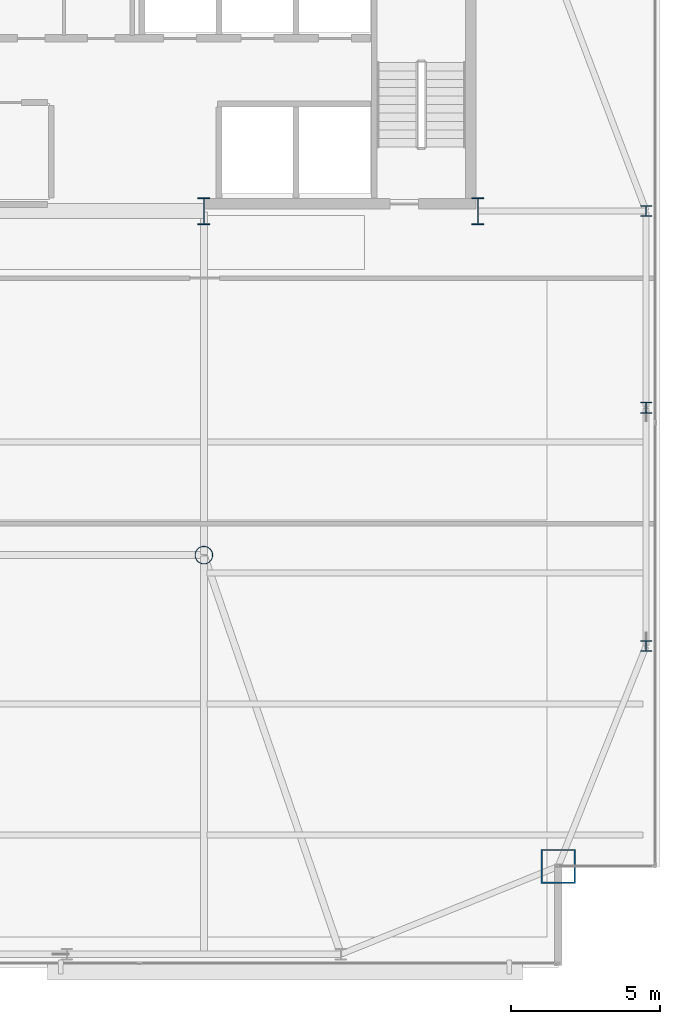
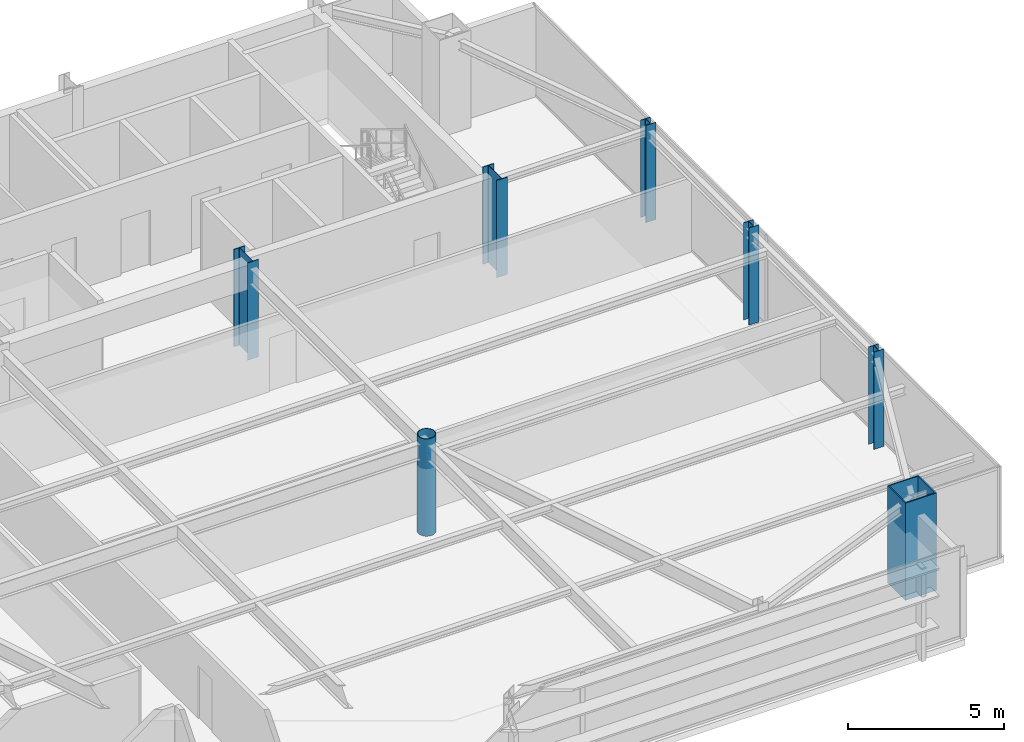
# One storey, part 2 of 25: 7 columns.
"""IFC4 building model written with IfcOpenShell, lengths in metres."""

from ifc_helpers import new_model, si_unit, direction, frame, origin, origin_2d, place, context, subcontext, project, spatial, hollow_rectangle, hollow_circle, i_section, extrude, source, transform, mapped, material, material_profile, profile_set, type_object, type_shapes, element, save


model = new_model("IFC4")

# Units and contexts
model_context = context("Model", 3, precision=1e-05, world=origin(), true_north=direction((0.0, 1.0)))
body_context = subcontext(model_context, "Body", "Model", "MODEL_VIEW")
ifc_project = project(units=[si_unit("LENGTHUNIT", "METRE"), si_unit("AREAUNIT", "SQUARE_METRE"), si_unit("VOLUMEUNIT", "CUBIC_METRE"), si_unit("PLANEANGLEUNIT", "RADIAN"), si_unit("MASSUNIT", "GRAM", prefix="KILO")], contexts=[model_context])

# Site, building, storey
site_placement = place(None, origin())
site = spatial("IfcSite", under=ifc_project, at=site_placement, CompositionType="ELEMENT")
building_placement = place(site_placement, origin())
building = spatial("IfcBuilding", under=site, at=building_placement, Name="Varnel Quay Broadcast Tower", CompositionType="ELEMENT")
storey_placement = place(building_placement, frame((0.0, 0.0, 250.800048828125)))
storey = spatial("IfcBuildingStorey", under=building, at=storey_placement, Name="L62", CompositionType="ELEMENT", Elevation=250.800048828125)

# Columns
ifc_material_1 = material(Name="Structural Steel CSA G40.21 350WT", Category="steel")
ifc_material_profile_1 = material_profile(ifc_material_1, i_section(OverallWidth=0.39990234375, OverallDepth=0.89990234375, WebThickness=0.01611328125, FlangeThickness=0.028076171875, FilletRadius=0.01611328125, at=origin_2d()), Name="WWF900X309")
ifc_profile_set_1 = profile_set([ifc_material_profile_1], Name="Structural Steel CSA G40.21 350WT")
column_type_1 = type_object("IfcColumnType", Name="Col_WWF900X309", PredefinedType="COLUMN", material=ifc_profile_set_1)
shared_shape_1 = source(origin(), body_context, "Body", "SweptSolid", [
    extrude(i_section(OverallWidth=0.39990234375, OverallDepth=0.89990234375, WebThickness=0.01611328125, FlangeThickness=0.028076171875, FilletRadius=0.01611328125, at=origin_2d()), origin(), (0.0, 0.0, 1.0), 3.800048828125),
])
type_shapes(column_type_1, [shared_shape_1])
for number, where, z_axis, x_axis, name in (
    (1, (43.199951171875, 35.60009765625, 0.0), (0.0, 0.0, 1.0), (1.0, 0.0, 0.0), "L62 Column CC-S4"),
    (2, (52.39990234375, 35.60009765625, 0.0), (0.0, 0.0, 1.0), (1.0, 0.0, 0.0), "L62 Column CC-S5"),
):
    element("IfcColumn", number, at=place(storey_placement, frame(where, z_axis=z_axis, x_axis=x_axis)), inside=storey, type_object=column_type_1, Name=name, PredefinedType="COLUMN", context=body_context, shape_type="MappedRepresentation", body=[
        mapped(shared_shape_1, transform((0.0, 0.0, 0.0), x_axis=(1.0, 0.0, 0.0), y_axis=(0.0, 1.0, 0.0), z_axis=(0.0, 0.0, 1.0), scale=1.0)),
    ])
ifc_material_profile_2 = material_profile(ifc_material_1, hollow_rectangle(XDim=1.14990234375, YDim=1.14990234375, WallThickness=0.044921875, at=origin_2d()), Name="BOX1150X1150X45")
ifc_profile_set_2 = profile_set([ifc_material_profile_2], Name="Structural Steel CSA G40.21 350WT")
column_type_2 = type_object("IfcColumnType", Name="Col_BOX1150X1150X45", PredefinedType="COLUMN", material=ifc_profile_set_2)
shared_shape_2 = source(origin(), body_context, "Body", "SweptSolid", [
    extrude(hollow_rectangle(XDim=1.14990234375, YDim=1.14990234375, WallThickness=0.044921875, at=origin_2d()), origin(), (0.0, 0.0, 1.0), 3.800048828125),
])
type_shapes(column_type_2, [shared_shape_2])
column_1_placement = place(storey_placement, frame((55.10009765625, 13.60009765625, 0.0), z_axis=(0.0, 0.0, 1.0), x_axis=(1.0, 0.0, 0.0)))
element("IfcColumn", 3, at=column_1_placement, inside=storey, type_object=column_type_2, Name="L62 Column MC-SE", PredefinedType="COLUMN", context=body_context, shape_type="MappedRepresentation", body=[
    mapped(shared_shape_2, transform((0.0, 0.0, 0.0), x_axis=(1.0, 0.0, 0.0), y_axis=(0.0, 1.0, 0.0), z_axis=(0.0, 0.0, 1.0), scale=1.0)),
])
ifc_material_2 = material(Name="Structural Steel CSA G40.21 350W", Category="steel")
ifc_material_profile_3 = material_profile(ifc_material_2, i_section(OverallWidth=0.368896484375, OverallDepth=0.35595703125, WebThickness=0.01123046875, FlangeThickness=0.01806640625, FilletRadius=0.01611328125, at=origin_2d()), Name="W360X134")
ifc_profile_set_3 = profile_set([ifc_material_profile_3], Name="Structural Steel CSA G40.21 350W")
column_type_3 = type_object("IfcColumnType", Name="Col_W360X134", PredefinedType="COLUMN", material=ifc_profile_set_3)
shared_shape_3 = source(origin(), body_context, "Body", "SweptSolid", [
    extrude(i_section(OverallWidth=0.368896484375, OverallDepth=0.35595703125, WebThickness=0.01123046875, FlangeThickness=0.01806640625, FilletRadius=0.01611328125, at=origin_2d()), origin(), (0.0, 0.0, 1.0), 3.800048828125),
])
type_shapes(column_type_3, [shared_shape_3])
for number, where, z_axis, x_axis, name in (
    (4, (58.050048828125, 21.0, 0.0), (0.0, 0.0, 1.0), (1.0, 0.0, 0.0), "L62 Column TC-E1"),
    (5, (58.050048828125, 29.0, 0.0), (0.0, 0.0, 1.0), (1.0, 0.0, 0.0), "L62 Column TC-E2"),
    (6, (58.050048828125, 35.60009765625, 0.0), (0.0, 0.0, 1.0), (1.0, 0.0, 0.0), "L62 Column TC-E3"),
):
    element("IfcColumn", number, at=place(storey_placement, frame(where, z_axis=z_axis, x_axis=x_axis)), inside=storey, type_object=column_type_3, Name=name, PredefinedType="COLUMN", context=body_context, shape_type="MappedRepresentation", body=[
        mapped(shared_shape_3, transform((0.0, 0.0, 0.0), x_axis=(1.0, 0.0, 0.0), y_axis=(0.0, 1.0, 0.0), z_axis=(0.0, 0.0, 1.0), scale=1.0)),
    ])
ifc_material_profile_4 = material_profile(ifc_material_2, hollow_circle(Radius=0.304931640625, WallThickness=0.02490234375, at=origin_2d()), Name="CHS610X25")
ifc_profile_set_4 = profile_set([ifc_material_profile_4], Name="Structural Steel CSA G40.21 350W")
column_type_4 = type_object("IfcColumnType", Name="Col_CHS610X25", PredefinedType="COLUMN", material=ifc_profile_set_4)
shared_shape_4 = source(origin(), body_context, "Body", "SweptSolid", [
    extrude(hollow_circle(Radius=0.304931640625, WallThickness=0.02490234375, at=origin_2d()), origin(), (0.0, 0.0, 1.0), 3.800048828125),
])
type_shapes(column_type_4, [shared_shape_4])
column_2_placement = place(storey_placement, frame((43.199951171875, 24.050048828125, 0.0), z_axis=(0.0, 0.0, 1.0), x_axis=(1.0, 0.0, 0.0)))
element("IfcColumn", 7, at=column_2_placement, inside=storey, type_object=column_type_4, Name="L62 Column IC-02", PredefinedType="COLUMN", context=body_context, shape_type="MappedRepresentation", body=[
    mapped(shared_shape_4, transform((0.0, 0.0, 0.0), x_axis=(1.0, 0.0, 0.0), y_axis=(0.0, 1.0, 0.0), z_axis=(0.0, 0.0, 1.0), scale=1.0)),
])

save(model, "model.ifc")
